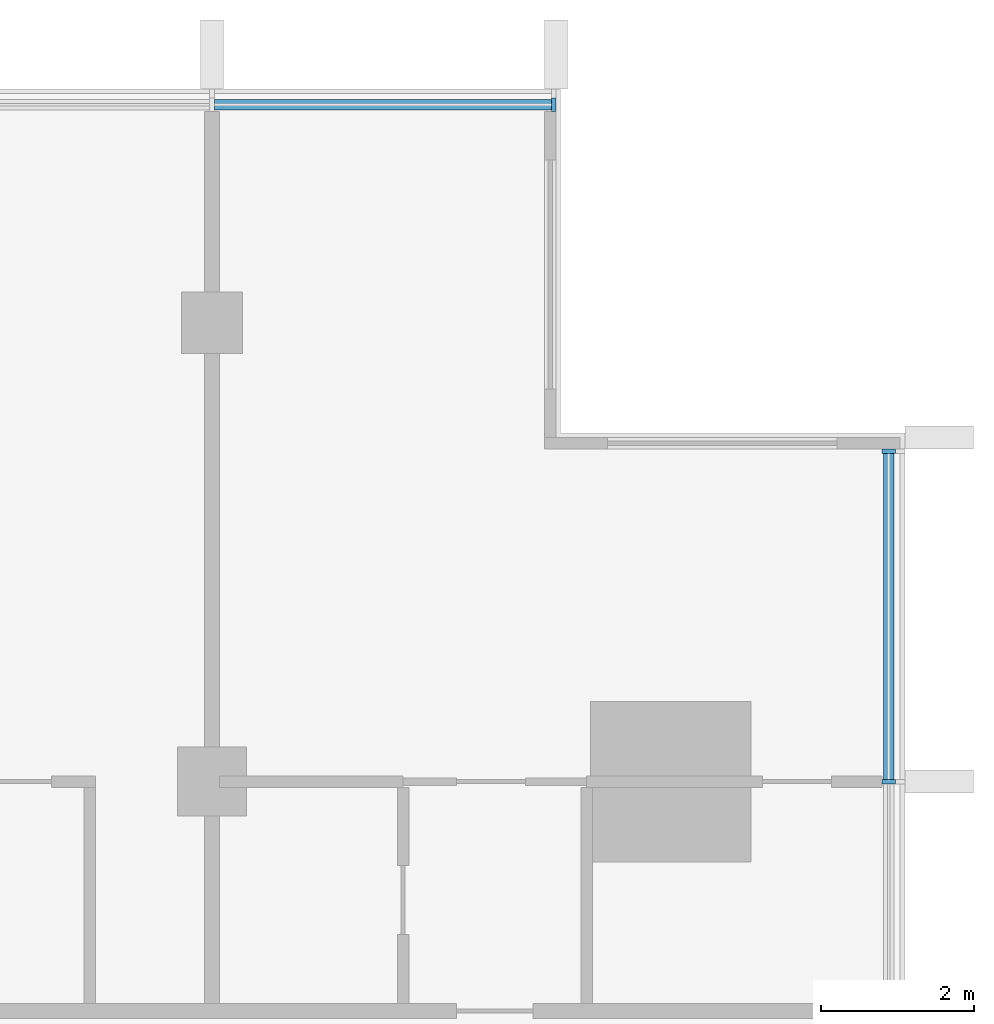
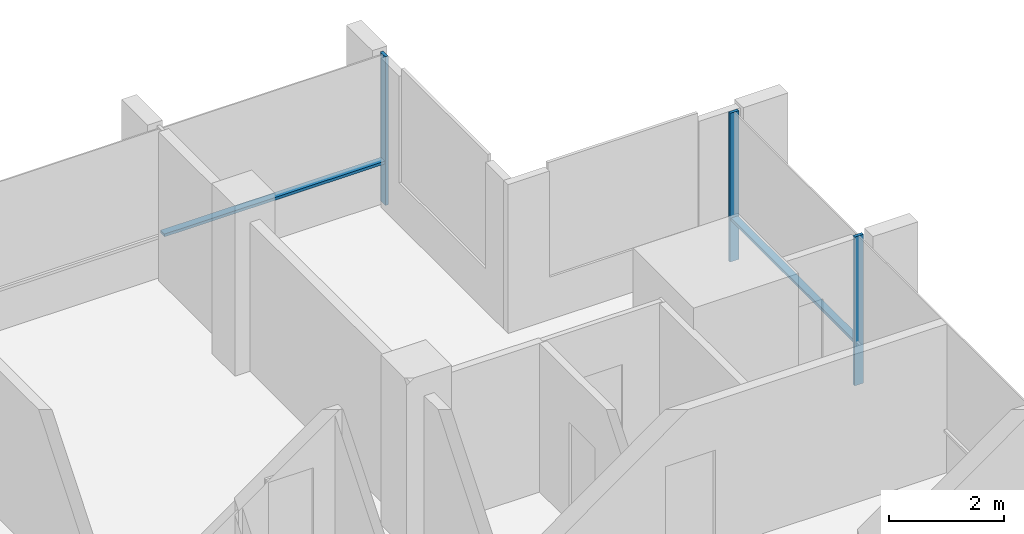
# One storey, part 5 of 16: 5 members, 2 elements without a shape of their own.
"""IFC4 building model written with IfcOpenShell, lengths in metres."""

import ifcopenshell
import ifcopenshell.guid

model = None  # the IFC model being written
_history = None  # IfcOwnerHistory: only IFC2X3 demands one
_inside = {}  # id of a spatial element -> (the spatial element, [elements in it])
_under = {}  # id of a project, library or spatial element -> (it, [spatial elements below it])
_declared = {}  # id of a project -> (the project, [libraries it declares])
_typed = {}  # id of a type object -> (the type object, [elements of that type])
_made_of = {}  # id of a material, layer set ... -> (it, [elements and type objects made of it])


def new_model(schema):
    """Start an empty IFC model of exactly this schema.

    Asked for "IFC4X3", IfcOpenShell would pick the latest addendum, in which some entities
    have other attributes; the version numbers below select the first issue.
    IFC2X3 requires an IfcOwnerHistory on every rooted entity: one is made here for all.
    """
    global model, _history
    if schema == "IFC4X3":
        model = ifcopenshell.file(schema_version=(4, 3, 0, 0))
    else:
        model = ifcopenshell.file(schema=schema)
    _inside.clear()
    _under.clear()
    _declared.clear()
    _typed.clear()
    _made_of.clear()
    _history = None
    if model.schema == "IFC2X3":
        org = make("IfcOrganization", Name="unknown")
        user = make(
            "IfcPersonAndOrganization",
            ThePerson=make("IfcPerson", FamilyName="unknown"),
            TheOrganization=org,
        )
        app = make(
            "IfcApplication",
            ApplicationDeveloper=org,
            Version="unknown",
            ApplicationFullName="unknown",
            ApplicationIdentifier="unknown",
        )
        _history = make(
            "IfcOwnerHistory",
            OwningUser=user,
            OwningApplication=app,
            ChangeAction="ADDED",
            CreationDate=0,
        )
    return model


def make(cls, **values):
    """One entity of the class cls with the attributes given. An attribute that is None is left unset."""
    return model.create_entity(
        cls, **{name: value for name, value in values.items() if value is not None}
    )


def rooted(cls, **values):
    """An entity with a GlobalId (a new one), such as an element, a storey or a relation."""
    return make(cls, GlobalId=ifcopenshell.guid.new(), OwnerHistory=_history, **values)


def si_unit(unit_type, name, prefix=None):
    """IfcSIUnit, for example si_unit("LENGTHUNIT", "METRE", prefix="MILLI")."""
    return make("IfcSIUnit", UnitType=unit_type, Prefix=prefix, Name=name)


def assignment(units):
    """IfcUnitAssignment: the units of a project."""
    return None if units is None else make("IfcUnitAssignment", Units=units)


def point(xyz):
    """IfcCartesianPoint."""
    return None if xyz is None else make("IfcCartesianPoint", Coordinates=xyz)


def direction(xyz):
    """IfcDirection."""
    return None if xyz is None else make("IfcDirection", DirectionRatios=xyz)


def frame(location, z_axis=None, x_axis=None):
    """IfcAxis2Placement3D, a coordinate frame: its origin and axes. An axis left out is left unset."""
    return make(
        "IfcAxis2Placement3D",
        Location=point(location),
        Axis=direction(z_axis),
        RefDirection=direction(x_axis),
    )


def frame_2d(location, x_axis=None):
    """IfcAxis2Placement2D, a coordinate frame in the plane: its origin and x axis."""
    return make(
        "IfcAxis2Placement2D", Location=point(location), RefDirection=direction(x_axis)
    )


def origin():
    """The frame at (0, 0, 0) with its axes left unset."""
    return frame((0.0, 0.0, 0.0))


def origin_2d():
    """The frame at (0, 0) in the plane with its x axis left unset."""
    return frame_2d((0.0, 0.0))


def place(relative_to, where):
    """IfcLocalPlacement: puts the frame where relative to a parent placement (None: the world)."""
    return make(
        "IfcLocalPlacement", PlacementRelTo=relative_to, RelativePlacement=where
    )


def context(
    kind, dimensions, precision=None, world=None, true_north=None, identifier=None
):
    """IfcGeometricRepresentationContext, for example the 3D "Model" context."""
    return make(
        "IfcGeometricRepresentationContext",
        ContextIdentifier=identifier,
        ContextType=kind,
        CoordinateSpaceDimension=dimensions,
        Precision=precision,
        WorldCoordinateSystem=world,
        TrueNorth=true_north,
    )


def subcontext(parent, identifier, kind, view, scale=None):
    """IfcGeometricRepresentationSubContext, for example "Body" below "Model"."""
    return make(
        "IfcGeometricRepresentationSubContext",
        ContextIdentifier=identifier,
        ContextType=kind,
        ParentContext=parent,
        TargetScale=scale,
        TargetView=view,
    )


def project(units=None, contexts=None):
    """IfcProject with its units and contexts."""
    return rooted(
        "IfcProject",
        Name="project",
        RepresentationContexts=contexts,
        UnitsInContext=assignment(units),
    )


def spatial(cls, under=None, at=None, **own):
    """A site, building, storey or space (cls), placed at a placement, below another one or the project."""
    s = rooted(cls, ObjectPlacement=at, **own)
    if under is not None:
        _under.setdefault(under.id(), (under, []))[1].append(s)
    return s


def profile(cls, at=None, kind="AREA", **sizes):
    """A parametric profile (cls). Its sizes go by their IFC names, for example OverallWidth=200.0."""
    return make(cls, ProfileType=kind, Position=at, **sizes)


def rectangle(**sizes):
    """IfcRectangleProfileDef."""
    return profile("IfcRectangleProfileDef", **sizes)


def extrude(swept, where, along, depth):
    """IfcExtrudedAreaSolid: the profile swept, set in the frame where, extruded along a direction by depth."""
    return make(
        "IfcExtrudedAreaSolid",
        SweptArea=swept,
        Position=where,
        ExtrudedDirection=direction(along),
        Depth=depth,
    )


def shape(context_of_items, identifier, shape_type, items):
    """IfcShapeRepresentation: the items that make up one representation, for example the "Body"."""
    return make(
        "IfcShapeRepresentation",
        ContextOfItems=context_of_items,
        RepresentationIdentifier=identifier,
        RepresentationType=shape_type,
        Items=items,
    )


def material(Name=None, Category=None):
    """IfcMaterial."""
    return make("IfcMaterial", Name=Name, Category=Category)


def material_profile(
    of_material, cross_section, Name=None, Category=None, Priority=None
):
    """IfcMaterialProfile: a cross section and its material."""
    return make(
        "IfcMaterialProfile",
        Name=Name,
        Material=of_material,
        Profile=cross_section,
        Priority=Priority,
        Category=Category,
    )


def profile_set(profiles, Name=None, composite=None):
    """IfcMaterialProfileSet."""
    return make(
        "IfcMaterialProfileSet",
        Name=Name,
        MaterialProfiles=profiles,
        CompositeProfile=composite,
    )


def made_of(thing, what):
    """Note that an element or type object is made of a material, layer set ...; save() writes the relation."""
    if what is not None:
        _made_of.setdefault(what.id(), (what, []))[1].append(thing)
    return thing


def type_object(cls, material=None, **own):
    """A type object (cls), such as IfcWallType, which elements share."""
    return made_of(rooted(cls, **own), material)


def element(
    cls,
    number,
    at=None,
    inside=None,
    cuts=None,
    type_object=None,
    material=None,
    context=None,
    identifier="Body",
    shape_type=None,
    held_by="IfcProductDefinitionShape",
    body=None,
    shapes=None,
    **own,
):
    """One element of the class cls, such as IfcWall. Its Tag is "e" and its number.

    at: its placement. inside: the storey or other place that contains it. cuts: it is an
    opening in that element (IfcRelVoidsElement). A single representation is given by context,
    identifier, shape_type and body (its items); several are given by shapes. held_by: the class
    of the entity that holds the representations. save() writes the other relations.
    """
    e = rooted(cls, Tag="e%d" % number, ObjectPlacement=at, **own)
    if body is not None:
        shapes = [shape(context, identifier, shape_type, body)]
    if shapes is not None:
        e.Representation = make(held_by, Representations=shapes)
    if inside is not None:
        _inside.setdefault(inside.id(), (inside, []))[1].append(e)
    if cuts is not None:
        rooted(
            "IfcRelVoidsElement", RelatingBuildingElement=cuts, RelatedOpeningElement=e
        )
    if type_object is not None:
        _typed.setdefault(type_object.id(), (type_object, []))[1].append(e)
    return made_of(e, material)


def aggregate(whole, parts):
    """IfcRelAggregates: a whole, such as a stair, and the parts it consists of."""
    return rooted("IfcRelAggregates", RelatingObject=whole, RelatedObjects=parts)


def save(model, path):
    """Write the relations noted so far, then the file.

    IfcRelAggregates (storeys below a building ...), IfcRelContainedInSpatialStructure (elements
    in a storey), IfcRelDefinesByType, IfcRelAssociatesMaterial and IfcRelDeclares: one each for
    every whole, place, type object, material and project.
    """
    for whole, parts in _under.values():
        aggregate(whole, parts)
    for where, things in _inside.values():
        rooted(
            "IfcRelContainedInSpatialStructure",
            RelatedElements=things,
            RelatingStructure=where,
        )
    for kind, things in _typed.values():
        rooted("IfcRelDefinesByType", RelatedObjects=things, RelatingType=kind)
    for what, things in _made_of.values():
        rooted("IfcRelAssociatesMaterial", RelatedObjects=things, RelatingMaterial=what)
    for by, libraries in _declared.values():
        rooted("IfcRelDeclares", RelatingContext=by, RelatedDefinitions=libraries)
    model.write(path)


model = new_model("IFC4")

# Units and contexts
model_context = context("Model", 3, precision=1e-05, world=origin(), true_north=direction((0.0, 1.0)))
body_context = subcontext(model_context, "Body", "Model", "MODEL_VIEW")
ifc_project = project(units=[si_unit("LENGTHUNIT", "METRE"), si_unit("AREAUNIT", "SQUARE_METRE"), si_unit("VOLUMEUNIT", "CUBIC_METRE"), si_unit("PLANEANGLEUNIT", "RADIAN"), si_unit("MASSUNIT", "GRAM", prefix="KILO")], contexts=[model_context])

# Site, building, storey
site_placement = place(None, origin())
site = spatial("IfcSite", under=ifc_project, at=site_placement, CompositionType="ELEMENT")
building_placement = place(site_placement, origin())
building = spatial("IfcBuilding", under=site, at=building_placement, Name="Finial Court Residences", CompositionType="ELEMENT")
storey_placement = place(building_placement, frame((0.0, 0.0, 244.699951171875)))
storey = spatial("IfcBuildingStorey", under=building, at=storey_placement, Name="L62", CompositionType="ELEMENT", Elevation=244.699951171875)

# Curtain wall, member
ifc_material = material(Name="Bronze anodised aluminium", Category="aluminium")
curtain_wall_type = type_object("IfcCurtainWallType", Name="Unitised curtain wall, upper zones", PredefinedType="NOTDEFINED", material=ifc_material)
curtain_wall_1_placement = place(storey_placement, origin())
curtain_wall_1 = element("IfcCurtainWall", 1, at=curtain_wall_1_placement, inside=storey, type_object=curtain_wall_type, Name="E-L62-CW-N3", PredefinedType="NOTDEFINED")
ifc_material_profile_1 = material_profile(ifc_material, rectangle(XDim=0.175048828125, YDim=0.06005859375, at=origin_2d()), Name="CW2 mullion 60 x 175")
ifc_profile_set_1 = profile_set([ifc_material_profile_1], Name="Bronze anodised aluminium")
member_type_1 = type_object("IfcMemberType", Name="CW2 mullion 60 x 175", PredefinedType="MULLION", material=ifc_profile_set_1)
member_1_placement = place(storey_placement, frame((14.969970703125, 16.35009765625, 0.0), z_axis=(0.0, 0.0, 1.0), x_axis=(0.0, 1.0, 0.0)))
member_1 = element("IfcMember", 2, at=member_1_placement, type_object=member_type_1, Name="CW2 mullion 3", PredefinedType="MULLION", context=body_context, shape_type="SweptSolid", body=[
    extrude(rectangle(XDim=0.175048828125, YDim=0.06005859375, at=origin_2d()), origin(), (0.0, 0.0, 1.0), 3.150146484375),
])

# Curtain wall, members
curtain_wall_2_placement = place(storey_placement, origin())
curtain_wall_2 = element("IfcCurtainWall", 3, at=curtain_wall_2_placement, inside=storey, type_object=curtain_wall_type, Name="E-L62-CW-E6", PredefinedType="NOTDEFINED")
member_2_placement = place(storey_placement, frame((19.35009765625, 7.5, 0.0), z_axis=(0.0, 0.0, 1.0), x_axis=(-1.0, 0.0, 0.0)))
member_2 = element("IfcMember", 4, at=member_2_placement, type_object=member_type_1, Name="CW2 mullion 2", PredefinedType="MULLION", context=body_context, shape_type="SweptSolid", body=[
    extrude(rectangle(XDim=0.175048828125, YDim=0.06005859375, at=origin_2d()), origin(), (0.0, 0.0, 1.0), 3.150146484375),
])
member_3_placement = place(storey_placement, frame((19.35009765625, 11.820068359375, 0.0), z_axis=(0.0, 0.0, 1.0), x_axis=(-1.0, 0.0, 0.0)))
member_3 = element("IfcMember", 5, at=member_3_placement, type_object=member_type_1, Name="CW2 mullion 3", PredefinedType="MULLION", context=body_context, shape_type="SweptSolid", body=[
    extrude(rectangle(XDim=0.175048828125, YDim=0.06005859375, at=origin_2d()), origin(), (0.0, 0.0, 1.0), 3.150146484375),
])

# Member
ifc_material_profile_2 = material_profile(ifc_material, rectangle(XDim=0.139892578125, YDim=0.06005859375, at=origin_2d()), Name="CW2 transom 60 x 140")
ifc_profile_set_2 = profile_set([ifc_material_profile_2], Name="Bronze anodised aluminium")
member_type_2 = type_object("IfcMemberType", Name="CW2 transom 60 x 140", PredefinedType="USERDEFINED", material=ifc_profile_set_2)
member_4_placement = place(storey_placement, frame((10.530029296875, 16.35009765625, 0.900146484375), z_axis=(1.0, 0.0, 0.0), x_axis=(0.0, 1.0, 0.0)))
member_4 = element("IfcMember", 6, at=member_4_placement, type_object=member_type_2, Name="CW2 transom 2.1", ObjectType="TRANSOM", PredefinedType="USERDEFINED", context=body_context, shape_type="SweptSolid", body=[
    extrude(rectangle(XDim=0.139892578125, YDim=0.06005859375, at=origin_2d()), origin(), (0.0, 0.0, 1.0), 4.409912109375),
])

aggregate(curtain_wall_1, [member_1, member_4])

member_5_placement = place(storey_placement, frame((19.35009765625, 7.530029296875, 0.900146484375), z_axis=(0.0, 1.0, 0.0), x_axis=(-1.0, 0.0, 0.0)))
member_5 = element("IfcMember", 7, at=member_5_placement, type_object=member_type_2, Name="CW2 transom 2.1", ObjectType="TRANSOM", PredefinedType="USERDEFINED", context=body_context, shape_type="SweptSolid", body=[
    extrude(rectangle(XDim=0.139892578125, YDim=0.06005859375, at=origin_2d()), origin(), (0.0, 0.0, 1.0), 4.260009765625),
])

aggregate(curtain_wall_2, [member_2, member_3, member_5])

save(model, "model.ifc")
